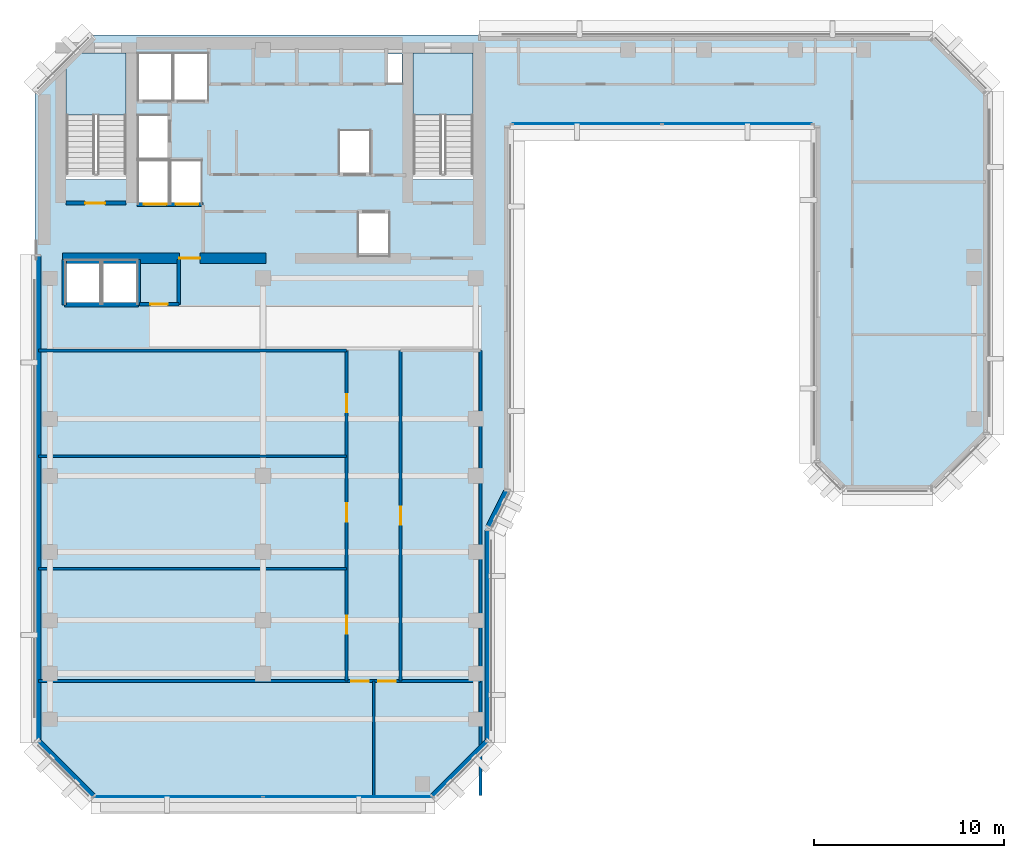
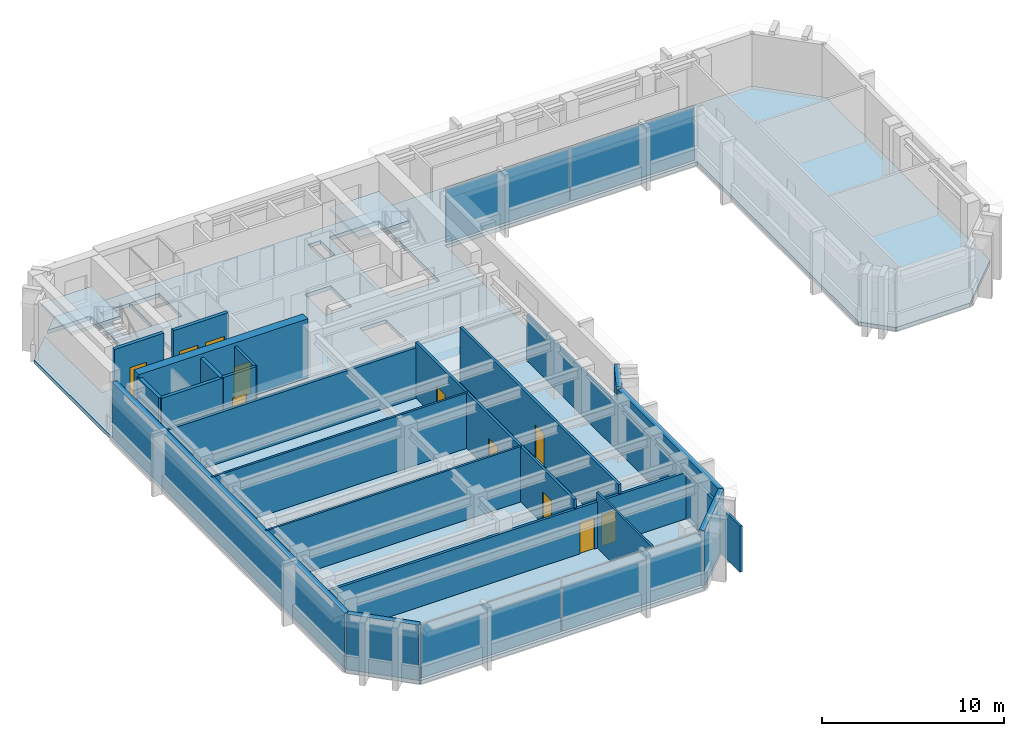
# One storey, part 5 of 11: 21 walls, 11 doors, 4 plates, 3 slabs, 11 openings, 4 elements without a shape of their own.
"""IFC4 building model written with IfcOpenShell, lengths in metres."""

from ifc_helpers import new_model, si_unit, direction, frame, frame_2d, origin, origin_2d, place, context, subcontext, project, spatial, polyline, rectangle, outline, extrude, material, layer, layer_set, type_object, element, fill, aggregate, save


model = new_model("IFC4")

# Units and contexts
model_context = context("Model", 3, precision=1e-05, world=origin(), true_north=direction((0.0, 1.0)))
body_context = subcontext(model_context, "Body", "Model", "MODEL_VIEW")
ifc_project = project(units=[si_unit("LENGTHUNIT", "METRE"), si_unit("AREAUNIT", "SQUARE_METRE"), si_unit("VOLUMEUNIT", "CUBIC_METRE"), si_unit("PLANEANGLEUNIT", "RADIAN"), si_unit("MASSUNIT", "GRAM", prefix="KILO")], contexts=[model_context])

# Site, building, storey
site_placement = place(None, origin())
site = spatial("IfcSite", under=ifc_project, at=site_placement, CompositionType="ELEMENT")
building_placement = place(site_placement, origin())
building = spatial("IfcBuilding", under=site, at=building_placement, Name="Kefirva Bronze Tower", CompositionType="ELEMENT")
storey_placement = place(building_placement, frame((0.0, 0.0, 219.780029296875)))
storey = spatial("IfcBuildingStorey", under=building, at=storey_placement, Name="L53", CompositionType="ELEMENT", Elevation=219.780029296875)

# Stair, slab
ifc_material_1 = material(Name="Concrete C40/50", Category="concrete")
stair_type = type_object("IfcStairType", Name="RC Dogleg Protected Stair 24R", PredefinedType="HALF_TURN_STAIR", material=ifc_material_1)
stair_1_placement = place(storey_placement, origin())
stair_1 = element("IfcStair", 1, at=stair_1_placement, inside=storey, type_object=stair_type, Name="L53 Protected Exit Stair 1", PredefinedType="HALF_TURN_STAIR")
ifc_layer_1 = layer(ifc_material_1, 0.199951171875, Name="Concrete C40/50")
ifc_layer_set_1 = layer_set([ifc_layer_1], Name="Concrete C40/50")
slab_type_1 = type_object("IfcSlabType", Name="RC Stair Landing Slab 200mm", PredefinedType="LANDING", material=ifc_layer_set_1)
slab_1_placement = place(storey_placement, frame((0.0, 0.0, 1.780029296875)))
slab_1 = element("IfcSlab", 2, at=slab_1_placement, type_object=slab_type_1, Name="ST-1 landing 1", PredefinedType="LANDING", context=body_context, shape_type="SweptSolid", body=[
    extrude(outline(polyline([(4.800048828125, 41.780029296875), (4.800048828125, 45.050048828125), (1.64990234375, 45.050048828125), (1.64990234375, 41.780029296875), (4.800048828125, 41.780029296875)])), origin(), (0.0, 0.0, 1.0), 0.199951171875),
])
aggregate(stair_1, [slab_1])

stair_2_placement = place(storey_placement, origin())
stair_2 = element("IfcStair", 3, at=stair_2_placement, inside=storey, type_object=stair_type, Name="L53 Protected Exit Stair 2", PredefinedType="HALF_TURN_STAIR")
slab_2_placement = place(storey_placement, frame((0.0, 0.0, 1.780029296875)))
slab_2 = element("IfcSlab", 4, at=slab_2_placement, type_object=slab_type_1, Name="ST-2 landing 1", PredefinedType="LANDING", context=body_context, shape_type="SweptSolid", body=[
    extrude(outline(polyline([(23.050048828125, 41.780029296875), (23.050048828125, 45.050048828125), (19.89990234375, 45.050048828125), (19.89990234375, 41.780029296875), (23.050048828125, 41.780029296875)])), origin(), (0.0, 0.0, 1.0), 0.199951171875),
])
aggregate(stair_2, [slab_2])

# Slab
ifc_layer_2 = layer(ifc_material_1, 0.25, Name="Concrete C40/50")
ifc_layer_set_2 = layer_set([ifc_layer_2], Name="Concrete C40/50")
slab_type_2 = type_object("IfcSlabType", Name="RC Tower Floor Slab 250mm", PredefinedType="FLOOR", material=ifc_layer_set_2)
slab_3_placement = place(storey_placement, frame((0.0, 0.0, -0.25)))
element("IfcSlab", 5, at=slab_3_placement, inside=storey, type_object=slab_type_2, Name="L53 Structural Floor Slab", PredefinedType="FLOOR", context=body_context, shape_type="SweptSolid", body=[
    extrude(outline(polyline([(0.0, 8.800048828125), (0.0, 43.0), (1.64990234375, 44.64990234375), (1.64990234375, 38.39990234375), (4.800048828125, 38.39990234375), (4.800048828125, 45.050048828125), (2.050048828125, 45.050048828125), (3.0, 46.0), (47.199951171875, 46.0), (50.199951171875, 43.0), (50.199951171875, 25.0), (47.199951171875, 22.0), (42.5, 22.0), (41.0, 23.5), (41.0, 41.199951171875), (25.0, 41.199951171875), (25.0, 22.0), (24.0, 20.0), (24.0, 8.800048828125), (21.0, 5.800048828125), (3.0, 5.800048828125), (0.0, 8.800048828125)]), holes=[polyline([(23.050048828125, 45.050048828125), (19.89990234375, 45.050048828125), (19.89990234375, 38.39990234375), (23.050048828125, 38.39990234375), (23.050048828125, 45.050048828125)]), polyline([(19.320068359375, 43.419921875), (19.320068359375, 45.0), (18.52001953125, 45.0), (18.52001953125, 43.419921875), (19.320068359375, 43.419921875)]), polyline([(18.64990234375, 36.64990234375), (17.0, 36.64990234375), (17.0, 34.35009765625), (18.64990234375, 34.35009765625), (18.64990234375, 36.64990234375)]), polyline([(17.64990234375, 38.679931640625), (17.64990234375, 40.97998046875), (16.0, 40.97998046875), (16.0, 38.679931640625), (17.64990234375, 38.679931640625)]), polyline([(9.1201171875, 42.550048828125), (9.1201171875, 45.050048828125), (7.300048828125, 45.050048828125), (7.300048828125, 42.550048828125), (9.1201171875, 42.550048828125)]), polyline([(8.780029296875, 37.10009765625), (8.780029296875, 39.39990234375), (7.139892578125, 39.39990234375), (7.139892578125, 37.10009765625), (8.780029296875, 37.10009765625)]), polyline([(7.239990234375, 42.550048828125), (7.239990234375, 45.050048828125), (5.419921875, 45.050048828125), (5.419921875, 42.550048828125), (7.239990234375, 42.550048828125)]), polyline([(7.06005859375, 37.10009765625), (7.06005859375, 39.39990234375), (5.419921875, 39.39990234375), (5.419921875, 37.10009765625), (7.06005859375, 37.10009765625)]), polyline([(7.06005859375, 41.780029296875), (5.419921875, 41.780029296875), (5.419921875, 39.47998046875), (7.06005859375, 39.47998046875), (7.06005859375, 41.780029296875)]), polyline([(5.39990234375, 31.85009765625), (5.39990234375, 34.14990234375), (3.550048828125, 34.14990234375), (3.550048828125, 31.85009765625), (5.39990234375, 31.85009765625)]), polyline([(3.449951171875, 34.14990234375), (1.60009765625, 34.14990234375), (1.60009765625, 31.85009765625), (3.449951171875, 31.85009765625), (3.449951171875, 34.14990234375)])]), origin(), (0.0, 0.0, 1.0), 0.25),
])

# Curtain wall, plates
ifc_material_2 = material(Name="Bronze anodised aluminium", Category="aluminium")
ifc_layer_3 = layer(ifc_material_2, 0.179931640625, Name="Bronze anodised aluminium")
ifc_layer_set_3 = layer_set([ifc_layer_3], Name="Bronze anodised aluminium")
curtain_wall_type = type_object("IfcCurtainWallType", Name="Unitised Bronze Ribbon Curtain Wall Zone 3", PredefinedType="USERDEFINED", material=ifc_layer_set_3)
curtain_wall_1_placement = place(storey_placement, origin())
curtain_wall_1 = element("IfcCurtainWall", 6, at=curtain_wall_1_placement, inside=storey, type_object=curtain_wall_type, Name="L53 Curtain Wall 1", ObjectType="UNITISED CURTAIN WALL", PredefinedType="USERDEFINED")
ifc_material_3 = material(Name="Laminated low-E double glazing", Category="glass")
ifc_layer_4 = layer(ifc_material_3, 0.031982421875, Name="Laminated low-E double glazing")
ifc_layer_set_4 = layer_set([ifc_layer_4], Name="Laminated low-E double glazing")
plate_type = type_object("IfcPlateType", Name="Solar-Control Low-E Vision Panel 32mm", PredefinedType="CURTAIN_PANEL", material=ifc_layer_set_4)
plate_1_placement = place(storey_placement, frame((7.546142578125, 5.919921875, 0.074951171875), z_axis=(0.0, 0.0, 1.0), x_axis=(1.0, 0.0, 0.0)))
plate_1 = element("IfcPlate", 7, at=plate_1_placement, type_object=plate_type, Name="CW-03 panel 1.1", PredefinedType="CURTAIN_PANEL", context=body_context, shape_type="SweptSolid", body=[
    extrude(rectangle(XDim=8.83251953125, YDim=0.031982421875, at=origin_2d()), origin(), (0.0, 0.0, 1.0), 3.56005859375),
])
plate_2_placement = place(storey_placement, frame((16.453857421875, 5.919921875, 0.074951171875), z_axis=(0.0, 0.0, 1.0), x_axis=(1.0, 0.0, 0.0)))
plate_2 = element("IfcPlate", 8, at=plate_2_placement, type_object=plate_type, Name="CW-03 panel 2.1", PredefinedType="CURTAIN_PANEL", context=body_context, shape_type="SweptSolid", body=[
    extrude(rectangle(XDim=8.83251953125, YDim=0.031982421875, at=origin_2d()), origin(), (0.0, 0.0, 1.0), 3.56005859375),
])
aggregate(curtain_wall_1, [plate_1, plate_2])

curtain_wall_2_placement = place(storey_placement, origin())
curtain_wall_2 = element("IfcCurtainWall", 9, at=curtain_wall_2_placement, inside=storey, type_object=curtain_wall_type, Name="L53 Curtain Wall 2", ObjectType="UNITISED CURTAIN WALL", PredefinedType="USERDEFINED")
plate_3_placement = place(storey_placement, frame((29.046142578125, 41.320068359375, 0.074951171875), z_axis=(0.0, 0.0, 1.0), x_axis=(1.0, 0.0, 0.0)))
plate_3 = element("IfcPlate", 10, at=plate_3_placement, type_object=plate_type, Name="CW-03 panel 1.1", PredefinedType="CURTAIN_PANEL", context=body_context, shape_type="SweptSolid", body=[
    extrude(rectangle(XDim=7.83251953125, YDim=0.031982421875, at=origin_2d()), origin(), (0.0, 0.0, 1.0), 3.56005859375),
])
plate_4_placement = place(storey_placement, frame((36.953857421875, 41.320068359375, 0.074951171875), z_axis=(0.0, 0.0, 1.0), x_axis=(1.0, 0.0, 0.0)))
plate_4 = element("IfcPlate", 11, at=plate_4_placement, type_object=plate_type, Name="CW-03 panel 2.1", PredefinedType="CURTAIN_PANEL", context=body_context, shape_type="SweptSolid", body=[
    extrude(rectangle(XDim=7.83251953125, YDim=0.031982421875, at=origin_2d()), origin(), (0.0, 0.0, 1.0), 3.56005859375),
])
aggregate(curtain_wall_2, [plate_3, plate_4])

# Walls
ifc_material_4 = material(Name="Gypsum acoustic partition")
ifc_layer_5 = layer(ifc_material_4, 0.1298828125, Name="Gypsum acoustic partition")
ifc_layer_set_5 = layer_set([ifc_layer_5], Name="Gypsum acoustic partition")
wall_type_1 = type_object("IfcWallType", Name="Acoustic Office Partition 130mm", PredefinedType="PARTITIONING", material=ifc_layer_set_5)
wall_1_placement = place(storey_placement, frame((17.820068359375, 5.989990234375, 0.0), z_axis=(0.0, 0.0, 1.0), x_axis=(0.0, 1.0, 0.0)))
element("IfcWall", 12, at=wall_1_placement, inside=storey, type_object=wall_type_1, Name="L53 Partition W-L53-CAPDV", PredefinedType="PARTITIONING", context=body_context, shape_type="SweptSolid", body=[
    extrude(rectangle(XDim=6.010009765625, YDim=0.1298828125, at=frame_2d((3.0048828125, 0.0))), origin(), (0.0, 0.0, 1.0), 3.7099609375),
])
for number, where, z_axis, x_axis, name in (
    (13, (0.18994140625, 17.916015625, 0.0), (0.0, 0.0, 1.0), (1.0, 0.0, 0.0), "L53 Partition W-L53-SWD1"),
    (14, (0.18994140625, 23.83203125, 0.0), (0.0, 0.0, 1.0), (1.0, 0.0, 0.0), "L53 Partition W-L53-SWD2"),
):
    element("IfcWall", number, at=place(storey_placement, frame(where, z_axis=z_axis, x_axis=x_axis)), inside=storey, type_object=wall_type_1, Name=name, PredefinedType="PARTITIONING", context=body_context, shape_type="SweptSolid", body=[
        extrude(rectangle(XDim=16.2099609375, YDim=0.1298828125, at=frame_2d((8.10498046875, 0.0))), origin(), (0.0, 0.0, 1.0), 3.7099609375),
    ])

# Wall, opening, door
ifc_material_5 = material(Name="Gypsum fireboard shaftwall")
ifc_layer_6 = layer(ifc_material_5, 0.219970703125, Name="Gypsum fireboard shaftwall")
ifc_layer_set_6 = layer_set([ifc_layer_6], Name="Gypsum fireboard shaftwall")
wall_type_2 = type_object("IfcWallType", Name="Fire-Rated Shaft Enclosure Wall 220mm", PredefinedType="PARTITIONING", material=ifc_layer_set_6)
wall_2_placement = place(storey_placement, frame((1.64990234375, 37.14990234375, 0.0), z_axis=(0.0, 0.0, 1.0), x_axis=(1.0, 0.0, 0.0)))
wall_2 = element("IfcWall", 15, at=wall_2_placement, inside=storey, type_object=wall_type_2, Name="L53 Partition W-L53-ST1S", PredefinedType="PARTITIONING", context=body_context, shape_type="SweptSolid", body=[
    extrude(rectangle(XDim=3.150146484375, YDim=0.219970703125, at=frame_2d((1.5751953125, 0.0))), origin(), (0.0, 0.0, 1.0), 3.7099609375),
])
opening_1_placement = place(wall_2_placement, frame((2.050048828125, 0.0, 0.0), z_axis=(0.0, 0.0, 1.0), x_axis=(-1.0, 0.0, 0.0)))
opening_1 = element("IfcOpeningElement", 16, at=opening_1_placement, cuts=wall_2, Name="Opening L53-D001", PredefinedType="OPENING", context=body_context, shape_type="SweptSolid", body=[
    extrude(rectangle(XDim=1.050048828125, YDim=2.14990234375, at=frame_2d((0.52490234375, 1.074951171875))), frame((0.0, 0.1201171875, 0.0), z_axis=(0.0, -1.0, 0.0), x_axis=(1.0, 0.0, 0.0)), (0.0, 0.0, 1.0), 0.239990234375),
])
ifc_material_6 = material(Name="Painted galvanized steel", Category="steel")
door_type_1 = type_object("IfcDoorType", Name="Fire Stair Enclosure Door 1050x2150 FD90S", OperationType="NOTDEFINED", PredefinedType="DOOR", material=ifc_material_6)
door_1_placement = place(opening_1_placement, origin())
door_1 = element("IfcDoor", 17, at=door_1_placement, inside=storey, type_object=door_type_1, Name="Door L53-D001", OperationType="SINGLE_SWING_LEFT", OverallHeight=2.14990234375, OverallWidth=1.050048828125, PredefinedType="DOOR", context=body_context, shape_type="SweptSolid", body=[
    extrude(rectangle(XDim=1.050048828125, YDim=2.14990234375, at=frame_2d((0.52490234375, 1.074951171875))), frame((0.0, 0.02490234375, 0.0), z_axis=(0.0, -1.0, 0.0), x_axis=(1.0, 0.0, 0.0)), (0.0, 0.0, 1.0), 0.050048828125),
])
fill(opening_1, door_1)

# Wall, openings, doors
wall_3_placement = place(storey_placement, frame((5.3798828125, 37.080078125, 0.0), z_axis=(0.0, 0.0, 1.0), x_axis=(1.0, 0.0, 0.0)))
wall_3 = element("IfcWall", 18, at=wall_3_placement, inside=storey, type_object=wall_type_2, Name="L53 Partition W-L53-FFS", PredefinedType="PARTITIONING", context=body_context, shape_type="SweptSolid", body=[
    extrude(rectangle(XDim=3.460205078125, YDim=0.219970703125, at=frame_2d((1.72998046875, 0.0))), origin(), (0.0, 0.0, 1.0), 3.7099609375),
])
opening_2_placement = place(wall_3_placement, frame((1.550048828125, 0.0, 0.0), z_axis=(0.0, 0.0, 1.0), x_axis=(-1.0, 0.0, 0.0)))
opening_2 = element("IfcOpeningElement", 19, at=opening_2_placement, cuts=wall_3, Name="Opening L53-LD-FF1", PredefinedType="OPENING", context=body_context, shape_type="SweptSolid", body=[
    extrude(rectangle(XDim=1.199951171875, YDim=2.199951171875, at=frame_2d((0.60009765625, 1.10009765625))), frame((0.0, 0.1201171875, 0.0), z_axis=(0.0, -1.0, 0.0), x_axis=(1.0, 0.0, 0.0)), (0.0, 0.0, 1.0), 0.239990234375),
])
opening_3_placement = place(wall_3_placement, frame((3.219970703125, 0.0, 0.0), z_axis=(0.0, 0.0, 1.0), x_axis=(-1.0, 0.0, 0.0)))
opening_3 = element("IfcOpeningElement", 20, at=opening_3_placement, cuts=wall_3, Name="Opening L53-LD-FF2", PredefinedType="OPENING", context=body_context, shape_type="SweptSolid", body=[
    extrude(rectangle(XDim=1.199951171875, YDim=2.199951171875, at=frame_2d((0.60009765625, 1.10009765625))), frame((0.0, 0.1201171875, 0.0), z_axis=(0.0, -1.0, 0.0), x_axis=(1.0, 0.0, 0.0)), (0.0, 0.0, 1.0), 0.239990234375),
])
ifc_material_7 = material(Name="Stainless steel 316", Category="steel")
door_type_2 = type_object("IfcDoorType", Name="Firefighting Lift Sliding Door 1200x2200", OperationType="SLIDING_TO_RIGHT", PredefinedType="DOOR", material=ifc_material_7)
door_2_placement = place(opening_2_placement, origin())
door_2 = element("IfcDoor", 21, at=door_2_placement, inside=storey, type_object=door_type_2, Name="Door L53-LD-FF1", OperationType="SLIDING_TO_RIGHT", OverallHeight=2.199951171875, OverallWidth=1.199951171875, PredefinedType="DOOR", context=body_context, shape_type="SweptSolid", body=[
    extrude(rectangle(XDim=1.199951171875, YDim=2.199951171875, at=frame_2d((0.60009765625, 1.10009765625))), frame((0.0, 0.02490234375, 0.0), z_axis=(0.0, -1.0, 0.0), x_axis=(1.0, 0.0, 0.0)), (0.0, 0.0, 1.0), 0.050048828125),
])
fill(opening_2, door_2)
door_3_placement = place(opening_3_placement, origin())
door_3 = element("IfcDoor", 22, at=door_3_placement, inside=storey, type_object=door_type_2, Name="Door L53-LD-FF2", OperationType="SLIDING_TO_RIGHT", OverallHeight=2.199951171875, OverallWidth=1.199951171875, PredefinedType="DOOR", context=body_context, shape_type="SweptSolid", body=[
    extrude(rectangle(XDim=1.199951171875, YDim=2.199951171875, at=frame_2d((0.60009765625, 1.10009765625))), frame((0.0, 0.02490234375, 0.0), z_axis=(0.0, -1.0, 0.0), x_axis=(1.0, 0.0, 0.0)), (0.0, 0.0, 1.0), 0.050048828125),
])
fill(opening_3, door_3)

# Walls
wall_4_placement = place(storey_placement, frame((1.550048828125, 31.800048828125, 0.0), z_axis=(0.0, 0.0, 1.0), x_axis=(1.0, 0.0, 0.0)))
element("IfcWall", 23, at=wall_4_placement, inside=storey, type_object=wall_type_2, Name="L53 Partition W-L53-OBS", PredefinedType="PARTITIONING", context=body_context, shape_type="SweptSolid", body=[
    extrude(rectangle(XDim=3.89990234375, YDim=0.219970703125, at=frame_2d((1.949951171875, 0.0))), origin(), (0.0, 0.0, 1.0), 3.7099609375),
])
for number, where, z_axis, x_axis, name in (
    (24, (1.550048828125, 31.800048828125, 0.0), (0.0, 0.0, 1.0), (0.0, 1.0, 0.0), "L53 Partition W-L53-OBW"),
    (25, (5.449951171875, 31.800048828125, 0.0), (0.0, 0.0, 1.0), (0.0, 1.0, 0.0), "L53 Partition W-L53-OBE"),
):
    element("IfcWall", number, at=place(storey_placement, frame(where, z_axis=z_axis, x_axis=x_axis)), inside=storey, type_object=wall_type_2, Name=name, PredefinedType="PARTITIONING", context=body_context, shape_type="SweptSolid", body=[
        extrude(rectangle(XDim=2.3798828125, YDim=0.219970703125, at=frame_2d((1.18994140625, 0.0))), origin(), (0.0, 0.0, 1.0), 3.7099609375),
    ])
ifc_material_8 = material(Name="Precast concrete C40/50", Category="concrete")
ifc_layer_7 = layer(ifc_material_8, 0.320068359375, Name="Precast concrete C40/50")
ifc_layer_set_7 = layer_set([ifc_layer_7], Name="Precast concrete C40/50")
wall_type_3 = type_object("IfcWallType", Name="Precast Insulated Exterior Wall 320mm", PredefinedType="SOLIDWALL", material=ifc_layer_set_7)
wall_5_placement = place(storey_placement, frame((20.92578125, 5.951904296875, 0.0), z_axis=(0.0, 0.0, 1.0), x_axis=(0.707077242712, 0.707136318428, 0.0)))
element("IfcWall", 26, at=wall_5_placement, inside=storey, type_object=wall_type_3, Name="L53 Exterior Facade Wall 1", PredefinedType="SOLIDWALL", context=body_context, shape_type="SweptSolid", body=[
    extrude(rectangle(XDim=4.132568359375, YDim=0.320068359375, at=frame_2d((2.06640625, 0.0))), origin(), (0.0, 0.0, 1.0), 3.7099609375),
])
wall_6_placement = place(storey_placement, frame((23.840087890625, 8.85498046875, 0.0), z_axis=(0.0, 0.0, 1.0), x_axis=(0.0, 1.0, 0.0)))
element("IfcWall", 27, at=wall_6_placement, inside=storey, type_object=wall_type_3, Name="L53 Exterior Facade Wall 2", PredefinedType="SOLIDWALL", context=body_context, shape_type="SweptSolid", body=[
    extrude(rectangle(XDim=11.090087890625, YDim=0.320068359375, at=frame_2d((5.544921875, 0.0))), origin(), (0.0, 0.0, 1.0), 3.7099609375),
])
wall_7_placement = place(storey_placement, frame((23.881591796875, 20.12060546875, 0.0), z_axis=(0.0, 0.0, 1.0), x_axis=(0.447121734542, 0.894473115583, 0.0)))
element("IfcWall", 28, at=wall_7_placement, inside=storey, type_object=wall_type_3, Name="L53 Exterior Facade Wall 3", PredefinedType="SOLIDWALL", context=body_context, shape_type="SweptSolid", body=[
    extrude(rectangle(XDim=2.126220703125, YDim=0.320068359375, at=frame_2d((1.06298828125, 0.0))), origin(), (0.0, 0.0, 1.0), 3.7099609375),
])
wall_8_placement = place(storey_placement, frame((0.159912109375, 34.39501953125, 0.0), z_axis=(0.0, 0.0, 1.0), x_axis=(0.0, -1.0, 0.0)))
element("IfcWall", 29, at=wall_8_placement, inside=storey, type_object=wall_type_3, Name="L53 Exterior Facade Wall 13", PredefinedType="SOLIDWALL", context=body_context, shape_type="SweptSolid", body=[
    extrude(rectangle(XDim=25.5400390625, YDim=0.320068359375, at=frame_2d((12.77001953125, 0.0))), origin(), (0.0, 0.0, 1.0), 3.7099609375),
])
wall_9_placement = place(storey_placement, frame((0.152099609375, 8.874267578125, 0.0), z_axis=(0.0, 0.0, 1.0), x_axis=(0.707077242712, -0.707136318428, 0.0)))
element("IfcWall", 30, at=wall_9_placement, inside=storey, type_object=wall_type_3, Name="L53 Exterior Facade Wall 14", PredefinedType="SOLIDWALL", context=body_context, shape_type="SweptSolid", body=[
    extrude(rectangle(XDim=4.132568359375, YDim=0.320068359375, at=frame_2d((2.06640625, 0.0))), origin(), (0.0, 0.0, 1.0), 3.7099609375),
])

# Wall, openings, doors
ifc_layer_8 = layer(ifc_material_4, 0.159912109375, Name="Gypsum acoustic partition")
ifc_layer_set_8 = layer_set([ifc_layer_8], Name="Gypsum acoustic partition")
wall_type_4 = type_object("IfcWallType", Name="Protected Corridor Partition 160mm", PredefinedType="PARTITIONING", material=ifc_layer_set_8)
wall_10_placement = place(storey_placement, frame((16.39990234375, 12.0, 0.0), z_axis=(0.0, 0.0, 1.0), x_axis=(0.0, 1.0, 0.0)))
wall_10 = element("IfcWall", 31, at=wall_10_placement, inside=storey, type_object=wall_type_4, Name="L53 Partition W-L53-SWCORW", PredefinedType="PARTITIONING", context=body_context, shape_type="SweptSolid", body=[
    extrude(rectangle(XDim=17.39990234375, YDim=0.159912109375, at=frame_2d((8.699951171875, 0.0))), origin(), (0.0, 0.0, 1.0), 3.7099609375),
])
opening_4_placement = place(wall_10_placement, frame((3.432861328125, 0.0, 0.0), z_axis=(0.0, 0.0, 1.0), x_axis=(-1.0, 0.0, 0.0)))
opening_4 = element("IfcOpeningElement", 32, at=opening_4_placement, cuts=wall_10, Name="Opening L53-D-SW1", PredefinedType="OPENING", context=body_context, shape_type="SweptSolid", body=[
    extrude(rectangle(XDim=0.949951171875, YDim=2.14990234375, at=frame_2d((0.47509765625, 1.074951171875))), frame((0.0, 0.08984375, 0.0), z_axis=(0.0, -1.0, 0.0), x_axis=(1.0, 0.0, 0.0)), (0.0, 0.0, 1.0), 0.179931640625),
])
opening_5_placement = place(wall_10_placement, frame((9.348876953125, 0.0, 0.0), z_axis=(0.0, 0.0, 1.0), x_axis=(-1.0, 0.0, 0.0)))
opening_5 = element("IfcOpeningElement", 33, at=opening_5_placement, cuts=wall_10, Name="Opening L53-D-SW2", PredefinedType="OPENING", context=body_context, shape_type="SweptSolid", body=[
    extrude(rectangle(XDim=0.949951171875, YDim=2.14990234375, at=frame_2d((0.47509765625, 1.074951171875))), frame((0.0, 0.08984375, 0.0), z_axis=(0.0, -1.0, 0.0), x_axis=(1.0, 0.0, 0.0)), (0.0, 0.0, 1.0), 0.179931640625),
])
opening_6_placement = place(wall_10_placement, frame((15.091064453125, 0.0, 0.0), z_axis=(0.0, 0.0, 1.0), x_axis=(-1.0, 0.0, 0.0)))
opening_6 = element("IfcOpeningElement", 34, at=opening_6_placement, cuts=wall_10, Name="Opening L53-D-SW3", PredefinedType="OPENING", context=body_context, shape_type="SweptSolid", body=[
    extrude(rectangle(XDim=0.949951171875, YDim=2.14990234375, at=frame_2d((0.47509765625, 1.074951171875))), frame((0.0, 0.08984375, 0.0), z_axis=(0.0, -1.0, 0.0), x_axis=(1.0, 0.0, 0.0)), (0.0, 0.0, 1.0), 0.179931640625),
])
ifc_material_9 = material(Name="Acoustic hardwood oak", Category="wood")
door_type_3 = type_object("IfcDoorType", Name="Office & Meeting Room Door 950x2150", OperationType="NOTDEFINED", PredefinedType="DOOR", material=ifc_material_9)
door_4_placement = place(opening_4_placement, origin())
door_4 = element("IfcDoor", 35, at=door_4_placement, inside=storey, type_object=door_type_3, Name="Door L53-D-SW1", OperationType="SINGLE_SWING_RIGHT", OverallHeight=2.14990234375, OverallWidth=0.949951171875, PredefinedType="DOOR", context=body_context, shape_type="SweptSolid", body=[
    extrude(rectangle(XDim=0.949951171875, YDim=2.14990234375, at=frame_2d((0.47509765625, 1.074951171875))), frame((0.0, 0.02490234375, 0.0), z_axis=(0.0, -1.0, 0.0), x_axis=(1.0, 0.0, 0.0)), (0.0, 0.0, 1.0), 0.050048828125),
])
fill(opening_4, door_4)
door_5_placement = place(opening_5_placement, origin())
door_5 = element("IfcDoor", 36, at=door_5_placement, inside=storey, type_object=door_type_3, Name="Door L53-D-SW2", OperationType="SINGLE_SWING_LEFT", OverallHeight=2.14990234375, OverallWidth=0.949951171875, PredefinedType="DOOR", context=body_context, shape_type="SweptSolid", body=[
    extrude(rectangle(XDim=0.949951171875, YDim=2.14990234375, at=frame_2d((0.47509765625, 1.074951171875))), frame((0.0, 0.02490234375, 0.0), z_axis=(0.0, -1.0, 0.0), x_axis=(1.0, 0.0, 0.0)), (0.0, 0.0, 1.0), 0.050048828125),
])
fill(opening_5, door_5)
door_6_placement = place(opening_6_placement, origin())
door_6 = element("IfcDoor", 37, at=door_6_placement, inside=storey, type_object=door_type_3, Name="Door L53-D-SW3", OperationType="SINGLE_SWING_RIGHT", OverallHeight=2.14990234375, OverallWidth=0.949951171875, PredefinedType="DOOR", context=body_context, shape_type="SweptSolid", body=[
    extrude(rectangle(XDim=0.949951171875, YDim=2.14990234375, at=frame_2d((0.47509765625, 1.074951171875))), frame((0.0, 0.02490234375, 0.0), z_axis=(0.0, -1.0, 0.0), x_axis=(1.0, 0.0, 0.0)), (0.0, 0.0, 1.0), 0.050048828125),
])
fill(opening_6, door_6)

# Wall, opening, door
wall_11_placement = place(storey_placement, frame((19.239990234375, 12.0, 0.0), z_axis=(0.0, 0.0, 1.0), x_axis=(0.0, 1.0, 0.0)))
wall_11 = element("IfcWall", 38, at=wall_11_placement, inside=storey, type_object=wall_type_4, Name="L53 Partition W-L53-SECORE", PredefinedType="PARTITIONING", context=body_context, shape_type="SweptSolid", body=[
    extrude(rectangle(XDim=17.39990234375, YDim=0.159912109375, at=frame_2d((8.699951171875, 0.0))), origin(), (0.0, 0.0, 1.0), 3.7099609375),
])
opening_7_placement = place(wall_11_placement, frame((8.22509765625, 0.0, 0.0)))
opening_7 = element("IfcOpeningElement", 39, at=opening_7_placement, cuts=wall_11, Name="Opening L53-D-SE1", PredefinedType="OPENING", context=body_context, shape_type="SweptSolid", body=[
    extrude(rectangle(XDim=0.949951171875, YDim=2.14990234375, at=frame_2d((0.47509765625, 1.074951171875))), frame((0.0, 0.08984375, 0.0), z_axis=(0.0, -1.0, 0.0), x_axis=(1.0, 0.0, 0.0)), (0.0, 0.0, 1.0), 0.179931640625),
])
door_7_placement = place(opening_7_placement, origin())
door_7 = element("IfcDoor", 40, at=door_7_placement, inside=storey, type_object=door_type_3, Name="Door L53-D-SE1", OperationType="SINGLE_SWING_LEFT", OverallHeight=2.14990234375, OverallWidth=0.949951171875, PredefinedType="DOOR", context=body_context, shape_type="SweptSolid", body=[
    extrude(rectangle(XDim=0.949951171875, YDim=2.14990234375, at=frame_2d((0.47509765625, 1.074951171875))), frame((0.0, 0.02490234375, 0.0), z_axis=(0.0, -1.0, 0.0), x_axis=(1.0, 0.0, 0.0)), (0.0, 0.0, 1.0), 0.050048828125),
])
fill(opening_7, door_7)

# Wall, openings, doors
wall_12_placement = place(storey_placement, frame((0.18994140625, 12.0, 0.0), z_axis=(0.0, 0.0, 1.0), x_axis=(1.0, 0.0, 0.0)))
wall_12 = element("IfcWall", 41, at=wall_12_placement, inside=storey, type_object=wall_type_4, Name="L53 Partition W-L53-SBEND", PredefinedType="PARTITIONING", context=body_context, shape_type="SweptSolid", body=[
    extrude(rectangle(XDim=23.260009765625, YDim=0.159912109375, at=frame_2d((11.6298828125, 0.0))), origin(), (0.0, 0.0, 1.0), 3.094970703125),
])
opening_8_placement = place(wall_12_placement, frame((16.4599609375, 0.0, 0.0)))
opening_8 = element("IfcOpeningElement", 42, at=opening_8_placement, cuts=wall_12, Name="Opening L53-D-SEND1", PredefinedType="OPENING", context=body_context, shape_type="SweptSolid", body=[
    extrude(rectangle(XDim=0.919921875, YDim=2.10009765625, at=frame_2d((0.4599609375, 1.050048828125))), frame((0.0, 0.08984375, 0.0), z_axis=(0.0, -1.0, 0.0), x_axis=(1.0, 0.0, 0.0)), (0.0, 0.0, 1.0), 0.179931640625),
])
opening_9_placement = place(wall_12_placement, frame((17.8798828125, 0.0, 0.0)))
opening_9 = element("IfcOpeningElement", 43, at=opening_9_placement, cuts=wall_12, Name="Opening L53-D-SEND2", PredefinedType="OPENING", context=body_context, shape_type="SweptSolid", body=[
    extrude(rectangle(XDim=0.919921875, YDim=2.10009765625, at=frame_2d((0.4599609375, 1.050048828125))), frame((0.0, 0.08984375, 0.0), z_axis=(0.0, -1.0, 0.0), x_axis=(1.0, 0.0, 0.0)), (0.0, 0.0, 1.0), 0.179931640625),
])
ifc_material_10 = material(Name="Moisture-resistant timber", Category="wood")
door_type_4 = type_object("IfcDoorType", Name="Accessible Sanitary & WC Door 920x2100", OperationType="NOTDEFINED", PredefinedType="DOOR", material=ifc_material_10)
door_8_placement = place(opening_8_placement, origin())
door_8 = element("IfcDoor", 44, at=door_8_placement, inside=storey, type_object=door_type_4, Name="Door L53-D-SEND1", OperationType="SINGLE_SWING_RIGHT", OverallHeight=2.10009765625, OverallWidth=0.919921875, PredefinedType="DOOR", context=body_context, shape_type="SweptSolid", body=[
    extrude(rectangle(XDim=0.919921875, YDim=2.10009765625, at=frame_2d((0.4599609375, 1.050048828125))), frame((0.0, 0.02490234375, 0.0), z_axis=(0.0, -1.0, 0.0), x_axis=(1.0, 0.0, 0.0)), (0.0, 0.0, 1.0), 0.050048828125),
])
fill(opening_8, door_8)
door_9_placement = place(opening_9_placement, origin())
door_9 = element("IfcDoor", 45, at=door_9_placement, inside=storey, type_object=door_type_4, Name="Door L53-D-SEND2", OperationType="SINGLE_SWING_LEFT", OverallHeight=2.10009765625, OverallWidth=0.919921875, PredefinedType="DOOR", context=body_context, shape_type="SweptSolid", body=[
    extrude(rectangle(XDim=0.919921875, YDim=2.10009765625, at=frame_2d((0.4599609375, 1.050048828125))), frame((0.0, 0.02490234375, 0.0), z_axis=(0.0, -1.0, 0.0), x_axis=(1.0, 0.0, 0.0)), (0.0, 0.0, 1.0), 0.050048828125),
])
fill(opening_9, door_9)

# Walls
wall_13_placement = place(storey_placement, frame((0.18994140625, 29.39990234375, 0.0), z_axis=(0.0, 0.0, 1.0), x_axis=(1.0, 0.0, 0.0)))
element("IfcWall", 46, at=wall_13_placement, inside=storey, type_object=wall_type_4, Name="L53 Partition W-L53-NWT", PredefinedType="PARTITIONING", context=body_context, shape_type="SweptSolid", body=[
    extrude(rectangle(XDim=16.2099609375, YDim=0.159912109375, at=frame_2d((8.10498046875, 0.0))), origin(), (0.0, 0.0, 1.0), 3.364990234375),
])
wall_14_placement = place(storey_placement, frame((23.449951171875, 5.989990234375, 0.0), z_axis=(0.0, 0.0, 1.0), x_axis=(0.0, 1.0, 0.0)))
element("IfcWall", 47, at=wall_14_placement, inside=storey, type_object=wall_type_4, Name="L53 Partition W-L53-SWEAST", PredefinedType="PARTITIONING", context=body_context, shape_type="SweptSolid", body=[
    extrude(rectangle(XDim=23.409912109375, YDim=0.159912109375, at=frame_2d((11.705078125, 0.0))), origin(), (0.0, 0.0, 1.0), 3.094970703125),
])

# Wall, opening, door
ifc_material_11 = material(Name="Concrete C50/60", Category="concrete")
ifc_layer_9 = layer(ifc_material_11, 0.64990234375, Name="Concrete C50/60")
ifc_layer_set_9 = layer_set([ifc_layer_9], Name="Concrete C50/60")
wall_type_5 = type_object("IfcWallType", Name="RC Rear Core Interior Wall 650mm", PredefinedType="SHEAR", material=ifc_layer_set_9)
wall_15_placement = place(storey_placement, frame((1.449951171875, 34.25, 0.0), z_axis=(0.0, 0.0, 1.0), x_axis=(1.0, 0.0, 0.0)))
wall_15 = element("IfcWall", 48, at=wall_15_placement, inside=storey, type_object=wall_type_5, Name="L53 Rear Core South-West Shear Wall", PredefinedType="SHEAR", context=body_context, shape_type="SweptSolid", body=[
    extrude(rectangle(XDim=10.7099609375, YDim=0.550048828125, at=frame_2d((5.35498046875, 0.0))), origin(), (0.0, 0.0, 1.0), 3.9599609375),
])
opening_10_placement = place(wall_15_placement, frame((7.25, 0.0, 0.0), z_axis=(0.0, 0.0, 1.0), x_axis=(-1.0, 0.0, 0.0)))
opening_10 = element("IfcOpeningElement", 49, at=opening_10_placement, cuts=wall_15, Name="Opening L53-D002", PredefinedType="OPENING", context=body_context, shape_type="SweptSolid", body=[
    extrude(rectangle(XDim=1.10009765625, YDim=2.14990234375, at=frame_2d((0.550048828125, 1.074951171875))), frame((0.0, 0.28515625, 0.0), z_axis=(0.0, -1.0, 0.0), x_axis=(1.0, 0.0, 0.0)), (0.0, 0.0, 1.0), 0.570068359375),
])
door_type_5 = type_object("IfcDoorType", Name="Firefighting Lobby Smoke Door 1100x2150 FD60S", OperationType="NOTDEFINED", PredefinedType="DOOR", material=ifc_material_6)
door_10_placement = place(opening_10_placement, origin())
door_10 = element("IfcDoor", 50, at=door_10_placement, inside=storey, type_object=door_type_5, Name="Door L53-D002", OperationType="SINGLE_SWING_RIGHT", OverallHeight=2.14990234375, OverallWidth=1.10009765625, PredefinedType="DOOR", context=body_context, shape_type="SweptSolid", body=[
    extrude(rectangle(XDim=1.10009765625, YDim=2.14990234375, at=frame_2d((0.550048828125, 1.074951171875))), frame((0.0, 0.02490234375, 0.0), z_axis=(0.0, -1.0, 0.0), x_axis=(1.0, 0.0, 0.0)), (0.0, 0.0, 1.0), 0.050048828125),
])
fill(opening_10, door_10)

ifc_material_12 = material(Name="Moisture-resistant partition")
ifc_layer_10 = layer(ifc_material_12, 0.179931640625, Name="Moisture-resistant partition")
ifc_layer_set_10 = layer_set([ifc_layer_10], Name="Moisture-resistant partition")
wall_type_6 = type_object("IfcWallType", Name="Sanitary Plumbing Chase Wall 180mm", PredefinedType="PLUMBINGWALL", material=ifc_layer_set_10)
wall_16_placement = place(storey_placement, frame((5.5, 31.820068359375, 0.0), z_axis=(0.0, 0.0, 1.0), x_axis=(1.0, 0.0, 0.0)))
wall_16 = element("IfcWall", 51, at=wall_16_placement, inside=storey, type_object=wall_type_6, Name="L53 Partition W-L53-TCS", PredefinedType="PLUMBINGWALL", context=body_context, shape_type="SweptSolid", body=[
    extrude(rectangle(XDim=2.080078125, YDim=0.179931640625, at=frame_2d((1.0400390625, 0.0))), origin(), (0.0, 0.0, 1.0), 3.7099609375),
])
opening_11_placement = place(wall_16_placement, frame((1.47998046875, 0.0, 0.0), z_axis=(0.0, 0.0, 1.0), x_axis=(-1.0, 0.0, 0.0)))
opening_11 = element("IfcOpeningElement", 52, at=opening_11_placement, cuts=wall_16, Name="Opening L53-D-TCL1", PredefinedType="OPENING", context=body_context, shape_type="SweptSolid", body=[
    extrude(rectangle(XDim=0.89990234375, YDim=2.10009765625, at=frame_2d((0.449951171875, 1.050048828125))), frame((0.0, 0.10009765625, 0.0), z_axis=(0.0, -1.0, 0.0), x_axis=(1.0, 0.0, 0.0)), (0.0, 0.0, 1.0), 0.199951171875),
])
door_type_6 = type_object("IfcDoorType", Name="Telecom & Meter Fire Door 900x2100 FD60S", OperationType="NOTDEFINED", PredefinedType="DOOR", material=ifc_material_6)
door_11_placement = place(opening_11_placement, origin())
door_11 = element("IfcDoor", 53, at=door_11_placement, inside=storey, type_object=door_type_6, Name="Door L53-D-TCL1", OperationType="SINGLE_SWING_RIGHT", OverallHeight=2.10009765625, OverallWidth=0.89990234375, PredefinedType="DOOR", context=body_context, shape_type="SweptSolid", body=[
    extrude(rectangle(XDim=0.89990234375, YDim=2.10009765625, at=frame_2d((0.449951171875, 1.050048828125))), frame((0.0, 0.02490234375, 0.0), z_axis=(0.0, -1.0, 0.0), x_axis=(1.0, 0.0, 0.0)), (0.0, 0.0, 1.0), 0.050048828125),
])
fill(opening_11, door_11)

# Wall
wall_17_placement = place(storey_placement, frame((7.580078125, 31.820068359375, 0.0), z_axis=(0.0, 0.0, 1.0), x_axis=(0.0, 1.0, 0.0)))
element("IfcWall", 54, at=wall_17_placement, inside=storey, type_object=wall_type_6, Name="L53 Partition W-L53-TCE", PredefinedType="PLUMBINGWALL", context=body_context, shape_type="SweptSolid", body=[
    extrude(rectangle(XDim=2.35986328125, YDim=0.179931640625, at=frame_2d((1.179931640625, 0.0))), origin(), (0.0, 0.0, 1.0), 3.7099609375),
])

save(model, "model.ifc")
